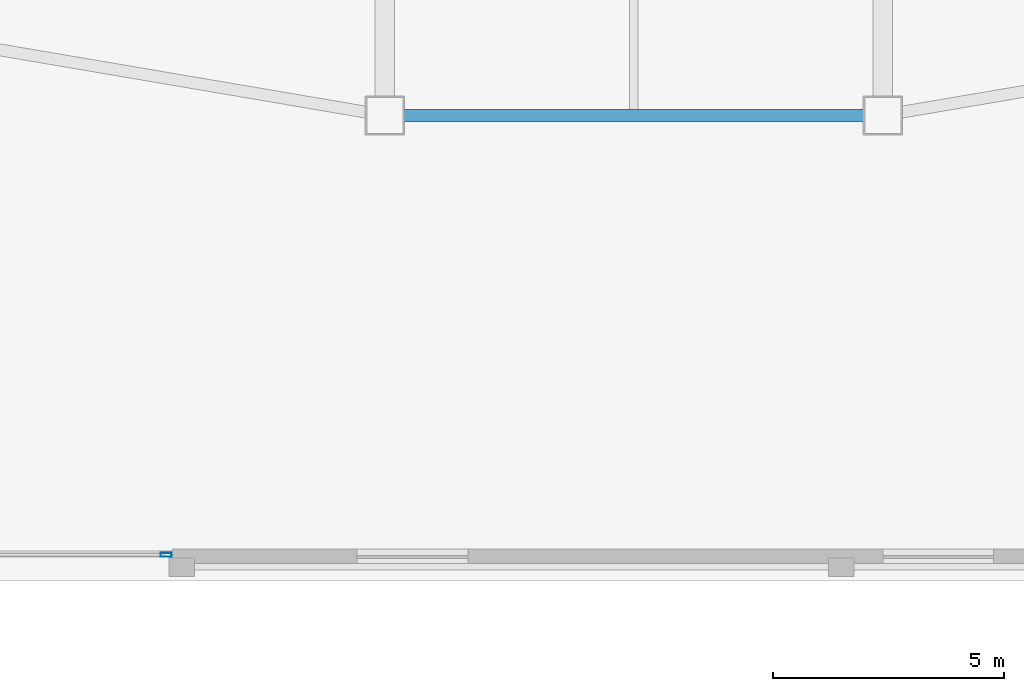
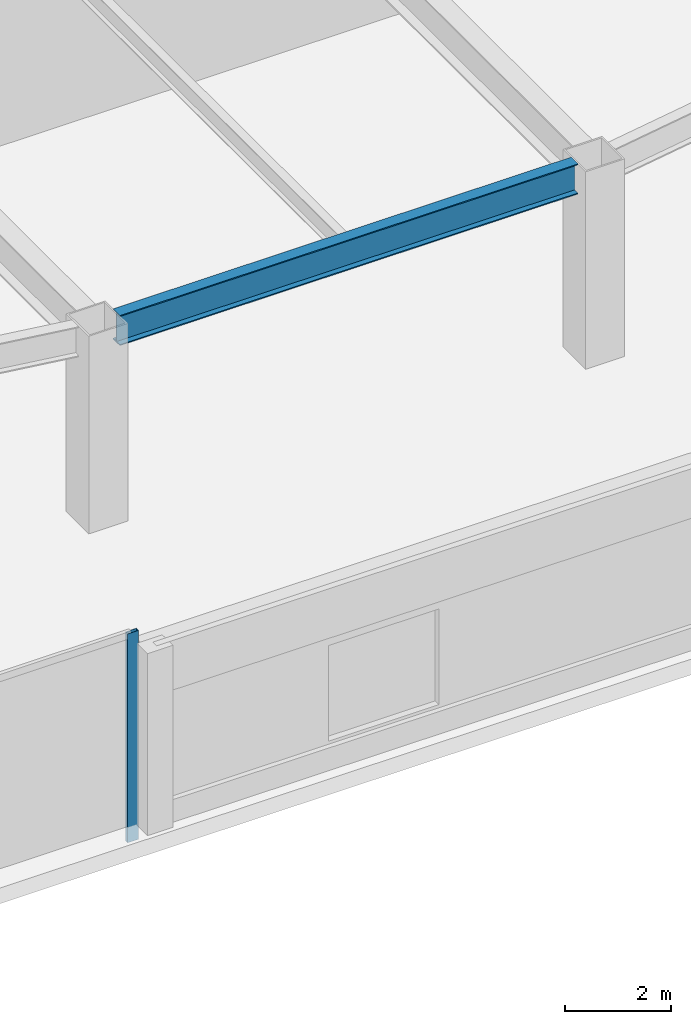
# One storey, part 10 of 44: 1 beam, 1 member, 1 element without a shape of its own.
"""IFC4 building model written with IfcOpenShell, lengths in metres."""

import ifcopenshell
import ifcopenshell.guid

model = None  # the IFC model being written
_history = None  # IfcOwnerHistory: only IFC2X3 demands one
_inside = {}  # id of a spatial element -> (the spatial element, [elements in it])
_under = {}  # id of a project, library or spatial element -> (it, [spatial elements below it])
_declared = {}  # id of a project -> (the project, [libraries it declares])
_typed = {}  # id of a type object -> (the type object, [elements of that type])
_made_of = {}  # id of a material, layer set ... -> (it, [elements and type objects made of it])


def new_model(schema):
    """Start an empty IFC model of exactly this schema.

    Asked for "IFC4X3", IfcOpenShell would pick the latest addendum, in which some entities
    have other attributes; the version numbers below select the first issue.
    IFC2X3 requires an IfcOwnerHistory on every rooted entity: one is made here for all.
    """
    global model, _history
    if schema == "IFC4X3":
        model = ifcopenshell.file(schema_version=(4, 3, 0, 0))
    else:
        model = ifcopenshell.file(schema=schema)
    _inside.clear()
    _under.clear()
    _declared.clear()
    _typed.clear()
    _made_of.clear()
    _history = None
    if model.schema == "IFC2X3":
        org = make("IfcOrganization", Name="unknown")
        user = make(
            "IfcPersonAndOrganization",
            ThePerson=make("IfcPerson", FamilyName="unknown"),
            TheOrganization=org,
        )
        app = make(
            "IfcApplication",
            ApplicationDeveloper=org,
            Version="unknown",
            ApplicationFullName="unknown",
            ApplicationIdentifier="unknown",
        )
        _history = make(
            "IfcOwnerHistory",
            OwningUser=user,
            OwningApplication=app,
            ChangeAction="ADDED",
            CreationDate=0,
        )
    return model


def make(cls, **values):
    """One entity of the class cls with the attributes given. An attribute that is None is left unset."""
    return model.create_entity(
        cls, **{name: value for name, value in values.items() if value is not None}
    )


def rooted(cls, **values):
    """An entity with a GlobalId (a new one), such as an element, a storey or a relation."""
    return make(cls, GlobalId=ifcopenshell.guid.new(), OwnerHistory=_history, **values)


def si_unit(unit_type, name, prefix=None):
    """IfcSIUnit, for example si_unit("LENGTHUNIT", "METRE", prefix="MILLI")."""
    return make("IfcSIUnit", UnitType=unit_type, Prefix=prefix, Name=name)


def assignment(units):
    """IfcUnitAssignment: the units of a project."""
    return None if units is None else make("IfcUnitAssignment", Units=units)


def point(xyz):
    """IfcCartesianPoint."""
    return None if xyz is None else make("IfcCartesianPoint", Coordinates=xyz)


def direction(xyz):
    """IfcDirection."""
    return None if xyz is None else make("IfcDirection", DirectionRatios=xyz)


def frame(location, z_axis=None, x_axis=None):
    """IfcAxis2Placement3D, a coordinate frame: its origin and axes. An axis left out is left unset."""
    return make(
        "IfcAxis2Placement3D",
        Location=point(location),
        Axis=direction(z_axis),
        RefDirection=direction(x_axis),
    )


def frame_2d(location, x_axis=None):
    """IfcAxis2Placement2D, a coordinate frame in the plane: its origin and x axis."""
    return make(
        "IfcAxis2Placement2D", Location=point(location), RefDirection=direction(x_axis)
    )


def origin():
    """The frame at (0, 0, 0) with its axes left unset."""
    return frame((0.0, 0.0, 0.0))


def origin_2d():
    """The frame at (0, 0) in the plane with its x axis left unset."""
    return frame_2d((0.0, 0.0))


def place(relative_to, where):
    """IfcLocalPlacement: puts the frame where relative to a parent placement (None: the world)."""
    return make(
        "IfcLocalPlacement", PlacementRelTo=relative_to, RelativePlacement=where
    )


def context(
    kind, dimensions, precision=None, world=None, true_north=None, identifier=None
):
    """IfcGeometricRepresentationContext, for example the 3D "Model" context."""
    return make(
        "IfcGeometricRepresentationContext",
        ContextIdentifier=identifier,
        ContextType=kind,
        CoordinateSpaceDimension=dimensions,
        Precision=precision,
        WorldCoordinateSystem=world,
        TrueNorth=true_north,
    )


def subcontext(parent, identifier, kind, view, scale=None):
    """IfcGeometricRepresentationSubContext, for example "Body" below "Model"."""
    return make(
        "IfcGeometricRepresentationSubContext",
        ContextIdentifier=identifier,
        ContextType=kind,
        ParentContext=parent,
        TargetScale=scale,
        TargetView=view,
    )


def project(units=None, contexts=None):
    """IfcProject with its units and contexts."""
    return rooted(
        "IfcProject",
        Name="project",
        RepresentationContexts=contexts,
        UnitsInContext=assignment(units),
    )


def spatial(cls, under=None, at=None, **own):
    """A site, building, storey or space (cls), placed at a placement, below another one or the project."""
    s = rooted(cls, ObjectPlacement=at, **own)
    if under is not None:
        _under.setdefault(under.id(), (under, []))[1].append(s)
    return s


def profile(cls, at=None, kind="AREA", **sizes):
    """A parametric profile (cls). Its sizes go by their IFC names, for example OverallWidth=200.0."""
    return make(cls, ProfileType=kind, Position=at, **sizes)


def hollow_rectangle(**sizes):
    """IfcRectangleHollowProfileDef."""
    return profile("IfcRectangleHollowProfileDef", **sizes)


def i_section(**sizes):
    """IfcIShapeProfileDef."""
    return profile("IfcIShapeProfileDef", **sizes)


def extrude(swept, where, along, depth):
    """IfcExtrudedAreaSolid: the profile swept, set in the frame where, extruded along a direction by depth."""
    return make(
        "IfcExtrudedAreaSolid",
        SweptArea=swept,
        Position=where,
        ExtrudedDirection=direction(along),
        Depth=depth,
    )


def shape(context_of_items, identifier, shape_type, items):
    """IfcShapeRepresentation: the items that make up one representation, for example the "Body"."""
    return make(
        "IfcShapeRepresentation",
        ContextOfItems=context_of_items,
        RepresentationIdentifier=identifier,
        RepresentationType=shape_type,
        Items=items,
    )


def material(Name=None, Category=None):
    """IfcMaterial."""
    return make("IfcMaterial", Name=Name, Category=Category)


def material_profile(
    of_material, cross_section, Name=None, Category=None, Priority=None
):
    """IfcMaterialProfile: a cross section and its material."""
    return make(
        "IfcMaterialProfile",
        Name=Name,
        Material=of_material,
        Profile=cross_section,
        Priority=Priority,
        Category=Category,
    )


def profile_set(profiles, Name=None, composite=None):
    """IfcMaterialProfileSet."""
    return make(
        "IfcMaterialProfileSet",
        Name=Name,
        MaterialProfiles=profiles,
        CompositeProfile=composite,
    )


def made_of(thing, what):
    """Note that an element or type object is made of a material, layer set ...; save() writes the relation."""
    if what is not None:
        _made_of.setdefault(what.id(), (what, []))[1].append(thing)
    return thing


def type_object(cls, material=None, **own):
    """A type object (cls), such as IfcWallType, which elements share."""
    return made_of(rooted(cls, **own), material)


def element(
    cls,
    number,
    at=None,
    inside=None,
    cuts=None,
    type_object=None,
    material=None,
    context=None,
    identifier="Body",
    shape_type=None,
    held_by="IfcProductDefinitionShape",
    body=None,
    shapes=None,
    **own,
):
    """One element of the class cls, such as IfcWall. Its Tag is "e" and its number.

    at: its placement. inside: the storey or other place that contains it. cuts: it is an
    opening in that element (IfcRelVoidsElement). A single representation is given by context,
    identifier, shape_type and body (its items); several are given by shapes. held_by: the class
    of the entity that holds the representations. save() writes the other relations.
    """
    e = rooted(cls, Tag="e%d" % number, ObjectPlacement=at, **own)
    if body is not None:
        shapes = [shape(context, identifier, shape_type, body)]
    if shapes is not None:
        e.Representation = make(held_by, Representations=shapes)
    if inside is not None:
        _inside.setdefault(inside.id(), (inside, []))[1].append(e)
    if cuts is not None:
        rooted(
            "IfcRelVoidsElement", RelatingBuildingElement=cuts, RelatedOpeningElement=e
        )
    if type_object is not None:
        _typed.setdefault(type_object.id(), (type_object, []))[1].append(e)
    return made_of(e, material)


def aggregate(whole, parts):
    """IfcRelAggregates: a whole, such as a stair, and the parts it consists of."""
    return rooted("IfcRelAggregates", RelatingObject=whole, RelatedObjects=parts)


def save(model, path):
    """Write the relations noted so far, then the file.

    IfcRelAggregates (storeys below a building ...), IfcRelContainedInSpatialStructure (elements
    in a storey), IfcRelDefinesByType, IfcRelAssociatesMaterial and IfcRelDeclares: one each for
    every whole, place, type object, material and project.
    """
    for whole, parts in _under.values():
        aggregate(whole, parts)
    for where, things in _inside.values():
        rooted(
            "IfcRelContainedInSpatialStructure",
            RelatedElements=things,
            RelatingStructure=where,
        )
    for kind, things in _typed.values():
        rooted("IfcRelDefinesByType", RelatedObjects=things, RelatingType=kind)
    for what, things in _made_of.values():
        rooted("IfcRelAssociatesMaterial", RelatedObjects=things, RelatingMaterial=what)
    for by, libraries in _declared.values():
        rooted("IfcRelDeclares", RelatingContext=by, RelatedDefinitions=libraries)
    model.write(path)


model = new_model("IFC4")

# Units and contexts
model_context = context("Model", 3, precision=1e-05, world=origin(), true_north=direction((0.0, 1.0)))
body_context = subcontext(model_context, "Body", "Model", "MODEL_VIEW")
ifc_project = project(units=[si_unit("LENGTHUNIT", "METRE"), si_unit("AREAUNIT", "SQUARE_METRE"), si_unit("VOLUMEUNIT", "CUBIC_METRE"), si_unit("PLANEANGLEUNIT", "RADIAN"), si_unit("MASSUNIT", "GRAM", prefix="KILO")], contexts=[model_context])

# Site, building, storey
site_placement = place(None, origin())
site = spatial("IfcSite", under=ifc_project, at=site_placement, CompositionType="ELEMENT")
building_placement = place(site_placement, origin())
building = spatial("IfcBuilding", under=site, at=building_placement, Name="Tashvorn Skyway Center", CompositionType="ELEMENT")
storey_placement = place(building_placement, frame((0.0, 0.0, 5.39990234375)))
storey = spatial("IfcBuildingStorey", under=building, at=storey_placement, Name="L01", CompositionType="ELEMENT", Elevation=5.39990234375)

# Beam
ifc_material_1 = material(Name="Steel ASTM A992 Grade 50", Category="steel")
ifc_material_profile_1 = material_profile(ifc_material_1, i_section(OverallWidth=0.256103515625, OverallDepth=0.693115234375, WebThickness=0.014404296875, FlangeThickness=0.023681640625, at=origin_2d()), Name="W27X114")
ifc_profile_set_1 = profile_set([ifc_material_profile_1], Name="Steel ASTM A992 Grade 50")
beam_type = type_object("IfcBeamType", Name="BM-SPANDREL-W27X114", PredefinedType="SPANDREL", material=ifc_profile_set_1)
beam_placement = place(storey_placement, frame((37.02001953125, 9.75, 4.193603515625), z_axis=(1.0, 0.0, 0.0), x_axis=(0.0, 1.0, 0.0)))
element("IfcBeam", 1, at=beam_placement, inside=storey, type_object=beam_type, Name="Tower 1 L01 Spandrel Beam 02", PredefinedType="SPANDREL", context=body_context, shape_type="SweptSolid", body=[
    extrude(i_section(OverallWidth=0.256103515625, OverallDepth=0.693115234375, WebThickness=0.014404296875, FlangeThickness=0.023681640625, at=origin_2d()), origin(), (0.0, 0.0, 1.0), 9.9599609375),
])

# Curtain wall, member
ifc_material_2 = material(Name="Thermally broken bronze-anodized aluminium 6063-T6", Category="aluminium")
curtain_wall_type = type_object("IfcCurtainWallType", Name="CW-CW-Z1", PredefinedType="NOTDEFINED", material=ifc_material_2)
curtain_wall_placement = place(storey_placement, origin())
curtain_wall = element("IfcCurtainWall", 2, at=curtain_wall_placement, inside=storey, type_object=curtain_wall_type, Name="L01 South Station Arcade Curtain Wall 3", PredefinedType="NOTDEFINED")
ifc_material_profile_2 = material_profile(ifc_material_2, hollow_rectangle(XDim=0.0849609375, YDim=0.239990234375, WallThickness=0.0048828125, at=origin_2d()), Name="ALU-MULL-85x240")
ifc_profile_set_2 = profile_set([ifc_material_profile_2], Name="Thermally broken bronze-anodized aluminium 6063-T6")
member_type = type_object("IfcMemberType", Name="CWM-CW-Z1", PredefinedType="MULLION", material=ifc_profile_set_2)
member_placement = place(storey_placement, frame((31.857421875, 0.219970703125, 0.0), z_axis=(0.0, 0.0, 1.0), x_axis=(0.0, -1.0, 0.0)))
member = element("IfcMember", 3, at=member_placement, type_object=member_type, Name="CW-Z1 mullion 1", PredefinedType="MULLION", context=body_context, shape_type="SweptSolid", body=[
    extrude(hollow_rectangle(XDim=0.0849609375, YDim=0.239990234375, WallThickness=0.0048828125, at=origin_2d()), origin(), (0.0, 0.0, 1.0), 4.800048828125),
])
aggregate(curtain_wall, [member])

save(model, "model.ifc")
